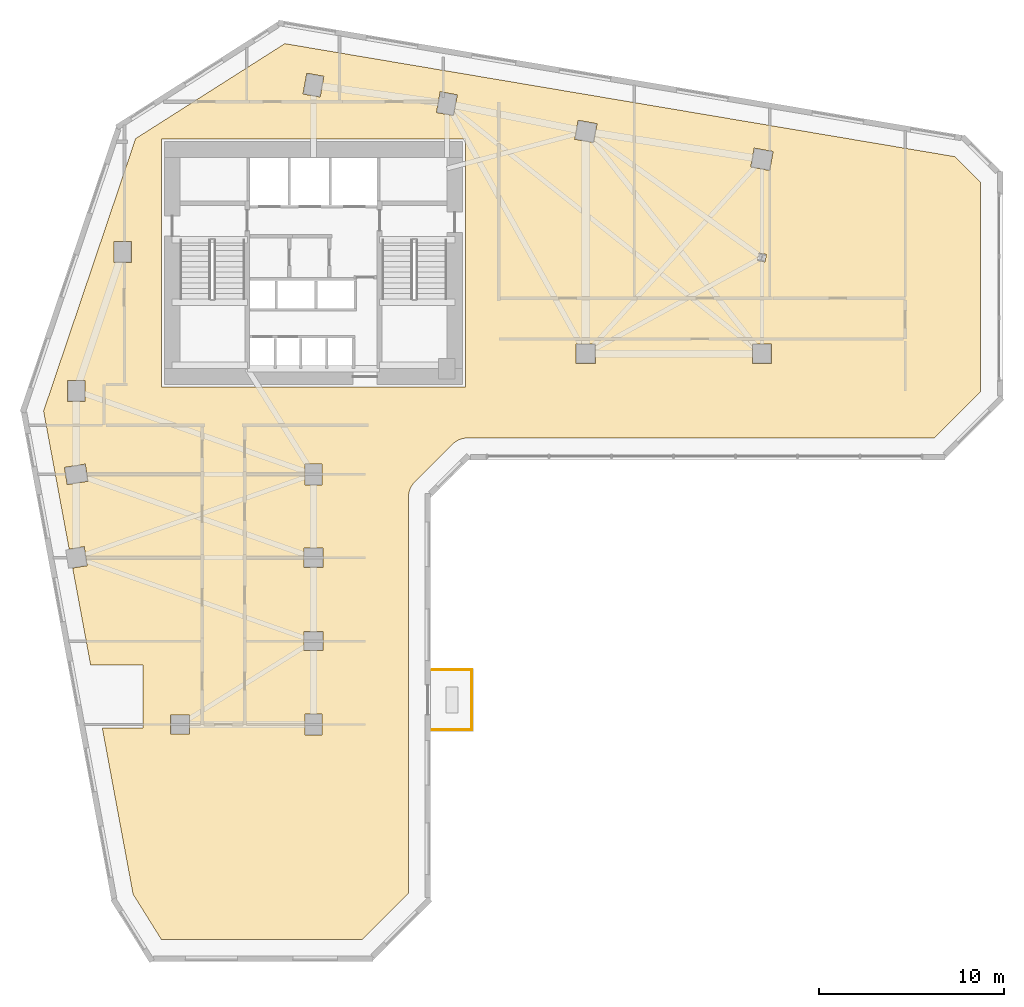
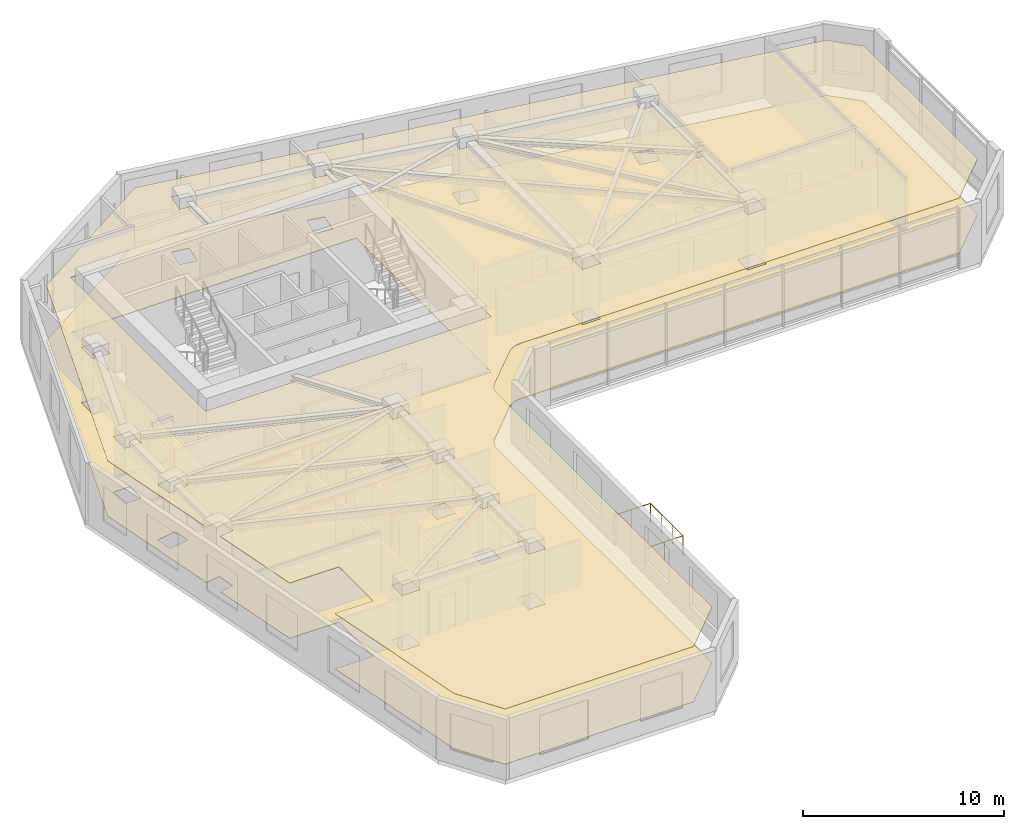
# One storey, part 10 of 11: 3 railings, 2 coverings.
"""IFC4 building model written with IfcOpenShell, lengths in metres."""

from ifc_helpers import new_model, si_unit, direction, frame, origin, origin_2d, place, context, subcontext, project, spatial, polyline, circle, outline, extrude, material, layer, layer_set, type_object, element, save


model = new_model("IFC4")

# Units and contexts
model_context = context("Model", 3, precision=1e-05, world=origin(), true_north=direction((0.0, 1.0)))
body_context = subcontext(model_context, "Body", "Model", "MODEL_VIEW")
ifc_project = project(units=[si_unit("LENGTHUNIT", "METRE"), si_unit("AREAUNIT", "SQUARE_METRE"), si_unit("VOLUMEUNIT", "CUBIC_METRE"), si_unit("PLANEANGLEUNIT", "RADIAN"), si_unit("MASSUNIT", "GRAM", prefix="KILO")], contexts=[model_context])

# Site, building, storey
site_placement = place(None, origin())
site = spatial("IfcSite", under=ifc_project, at=site_placement, CompositionType="ELEMENT")
building_placement = place(site_placement, origin())
building = spatial("IfcBuilding", under=site, at=building_placement, Name="Calvemar Wedge Station Tower", CompositionType="ELEMENT")
storey_placement = place(building_placement, frame((0.0, 0.0, 59.0)))
storey = spatial("IfcBuildingStorey", under=building, at=storey_placement, Name="L14", CompositionType="ELEMENT", Elevation=59.0)

# Coverings
ifc_material_1 = material(Name="Moisture-resistant gypsum ceiling")
ifc_layer_1 = layer(ifc_material_1, 0.0400390625)
ifc_layer_set_1 = layer_set([ifc_layer_1], Name="Moisture-resistant gypsum ceiling")
covering_type_1 = type_object("IfcCoveringType", Name="COV-CEIL-GYPSUM", PredefinedType="CEILING", material=ifc_layer_set_1)
covering_1_placement = place(storey_placement, frame((0.0, 0.0, 3.35009765625)))
element("IfcCovering", 1, at=covering_1_placement, inside=storey, type_object=covering_type_1, Name="Storey L14 Acoustic Suspended Ceiling", PredefinedType="CEILING", context=body_context, shape_type="SweptSolid", body=[
    extrude(outline(polyline([(29.279541015625, 28.1083984375), (31.279541015625, 30.1083984375), (31.36669921875, 30.1875), (31.461181640625, 30.2578125), (31.562255859375, 30.318359375), (31.668701171875, 30.36865234375), (31.77978515625, 30.408203125), (31.893798828125, 30.43701171875), (32.010498046875, 30.4541015625), (32.1279296875, 30.4599609375), (57.302978515625, 30.4599609375), (59.800048828125, 32.95703125), (59.800048828125, 44.262939453125), (58.422607421875, 45.640380859375), (22.255126953125, 51.739990234375), (14.201416015625, 46.614990234375), (9.23681640625, 31.911865234375), (10.6162109375, 24.465087890625), (11.43115234375, 24.595703125), (11.595703125, 23.56884765625), (10.805908203125, 23.4423828125), (11.777099609375, 18.199951171875), (14.60009765625, 18.199951171875), (14.60009765625, 14.800048828125), (12.406982421875, 14.800048828125), (14.06640625, 5.8427734375), (15.593017578125, 3.39990234375), (26.430908203125, 3.39990234375), (28.927978515625, 5.897216796875), (28.927978515625, 27.260009765625), (28.933837890625, 27.377685546875), (28.951171875, 27.494140625), (28.979736328125, 27.6083984375), (29.019287109375, 27.71923828125), (29.069580078125, 27.82568359375), (29.130126953125, 27.9267578125), (29.200439453125, 28.021240234375), (29.279541015625, 28.1083984375)]), holes=[polyline([(15.60009765625, 46.60009765625), (32.0, 46.60009765625), (32.0, 33.199951171875), (15.60009765625, 33.199951171875), (15.60009765625, 46.60009765625)]), polyline([(10.530029296875, 32.429931640625), (10.530029296875, 33.570068359375), (11.469970703125, 33.570068359375), (11.469970703125, 32.429931640625), (10.530029296875, 32.429931640625)]), polyline([(13.030029296875, 41.070068359375), (13.969970703125, 41.070068359375), (13.969970703125, 39.929931640625), (13.030029296875, 39.929931640625), (13.030029296875, 41.070068359375)]), polyline([(24.363525390625, 49.977783203125), (24.16162109375, 48.855712890625), (23.236572265625, 49.022216796875), (23.4384765625, 50.144287109375), (24.363525390625, 49.977783203125)]), polyline([(31.361572265625, 47.855712890625), (30.4365234375, 48.022216796875), (30.638427734375, 49.144287109375), (31.5634765625, 48.977783203125), (31.361572265625, 47.855712890625)]), polyline([(37.89599609375, 46.580322265625), (38.080322265625, 47.60400390625), (39.10400390625, 47.419677734375), (38.919677734375, 46.39599609375), (37.89599609375, 46.580322265625)]), polyline([(47.580322265625, 46.10400390625), (48.60400390625, 45.919677734375), (48.419677734375, 44.89599609375), (47.39599609375, 45.080322265625), (47.580322265625, 46.10400390625)]), polyline([(39.02001953125, 35.52001953125), (39.02001953125, 34.47998046875), (37.97998046875, 34.47998046875), (37.97998046875, 35.52001953125), (39.02001953125, 35.52001953125)]), polyline([(48.52001953125, 34.47998046875), (47.47998046875, 34.47998046875), (47.47998046875, 35.52001953125), (48.52001953125, 35.52001953125), (48.52001953125, 34.47998046875)]), polyline([(47.759765625, 40.033935546875), (47.832763671875, 40.439453125), (48.240234375, 40.3662109375), (48.167236328125, 39.960693359375), (47.759765625, 40.033935546875)]), polyline([(11.488525390625, 29.05419921875), (11.63720703125, 28.126220703125), (10.511474609375, 27.94580078125), (10.36279296875, 28.873779296875), (11.488525390625, 29.05419921875)]), polyline([(24.27001953125, 27.929931640625), (23.330078125, 27.929931640625), (23.330078125, 29.070068359375), (24.27001953125, 29.070068359375), (24.27001953125, 27.929931640625)]), polyline([(23.280029296875, 23.47998046875), (23.280029296875, 24.52001953125), (24.320068359375, 24.52001953125), (24.320068359375, 23.47998046875), (23.280029296875, 23.47998046875)]), polyline([(23.280029296875, 20.02001953125), (24.320068359375, 20.02001953125), (24.320068359375, 18.97998046875), (23.280029296875, 18.97998046875), (23.280029296875, 20.02001953125)]), polyline([(24.27001953125, 15.570068359375), (24.27001953125, 14.429931640625), (23.330078125, 14.429931640625), (23.330078125, 15.570068359375), (24.27001953125, 15.570068359375)]), polyline([(17.1201171875, 14.47998046875), (16.080078125, 14.47998046875), (16.080078125, 15.52001953125), (17.1201171875, 15.52001953125), (17.1201171875, 14.47998046875)])]), origin(), (0.0, 0.0, 1.0), 0.039794921875),
])
ifc_material_2 = material(Name="Commercial raised access floor")
ifc_layer_2 = layer(ifc_material_2, 0.030029296875)
ifc_layer_set_2 = layer_set([ifc_layer_2], Name="Commercial raised access floor")
covering_type_2 = type_object("IfcCoveringType", Name="COV-FLR-RAISED", PredefinedType="FLOORING", material=ifc_layer_set_2)
covering_2_placement = place(storey_placement, origin())
element("IfcCovering", 2, at=covering_2_placement, inside=storey, type_object=covering_type_2, Name="Storey L14 Architectural Floor Finish", PredefinedType="FLOORING", context=body_context, shape_type="SweptSolid", body=[
    extrude(outline(polyline([(29.279541015625, 28.1083984375), (31.279541015625, 30.1083984375), (31.36669921875, 30.1875), (31.461181640625, 30.2578125), (31.562255859375, 30.318359375), (31.668701171875, 30.36865234375), (31.77978515625, 30.408203125), (31.893798828125, 30.43701171875), (32.010498046875, 30.4541015625), (32.1279296875, 30.4599609375), (57.302978515625, 30.4599609375), (59.800048828125, 32.95703125), (59.800048828125, 44.262939453125), (58.422607421875, 45.640380859375), (22.255126953125, 51.739990234375), (14.201416015625, 46.614990234375), (9.23681640625, 31.911865234375), (10.6162109375, 24.465087890625), (11.43115234375, 24.595703125), (11.595703125, 23.56884765625), (10.805908203125, 23.4423828125), (11.777099609375, 18.199951171875), (14.60009765625, 18.199951171875), (14.60009765625, 14.800048828125), (12.406982421875, 14.800048828125), (14.06640625, 5.8427734375), (15.593017578125, 3.39990234375), (26.430908203125, 3.39990234375), (28.927978515625, 5.897216796875), (28.927978515625, 27.260009765625), (28.933837890625, 27.377685546875), (28.951171875, 27.494140625), (28.979736328125, 27.6083984375), (29.019287109375, 27.71923828125), (29.069580078125, 27.82568359375), (29.130126953125, 27.9267578125), (29.200439453125, 28.021240234375), (29.279541015625, 28.1083984375)]), holes=[polyline([(15.60009765625, 46.60009765625), (32.0, 46.60009765625), (32.0, 33.199951171875), (15.60009765625, 33.199951171875), (15.60009765625, 46.60009765625)]), polyline([(10.530029296875, 32.429931640625), (10.530029296875, 33.570068359375), (11.469970703125, 33.570068359375), (11.469970703125, 32.429931640625), (10.530029296875, 32.429931640625)]), polyline([(13.030029296875, 41.070068359375), (13.969970703125, 41.070068359375), (13.969970703125, 39.929931640625), (13.030029296875, 39.929931640625), (13.030029296875, 41.070068359375)]), polyline([(24.363525390625, 49.977783203125), (24.16162109375, 48.855712890625), (23.236572265625, 49.022216796875), (23.4384765625, 50.144287109375), (24.363525390625, 49.977783203125)]), polyline([(31.361572265625, 47.855712890625), (30.4365234375, 48.022216796875), (30.638427734375, 49.144287109375), (31.5634765625, 48.977783203125), (31.361572265625, 47.855712890625)]), polyline([(37.89599609375, 46.580322265625), (38.080322265625, 47.60400390625), (39.10400390625, 47.419677734375), (38.919677734375, 46.39599609375), (37.89599609375, 46.580322265625)]), polyline([(47.580322265625, 46.10400390625), (48.60400390625, 45.919677734375), (48.419677734375, 44.89599609375), (47.39599609375, 45.080322265625), (47.580322265625, 46.10400390625)]), polyline([(39.02001953125, 35.52001953125), (39.02001953125, 34.47998046875), (37.97998046875, 34.47998046875), (37.97998046875, 35.52001953125), (39.02001953125, 35.52001953125)]), polyline([(48.52001953125, 34.47998046875), (47.47998046875, 34.47998046875), (47.47998046875, 35.52001953125), (48.52001953125, 35.52001953125), (48.52001953125, 34.47998046875)]), polyline([(47.759765625, 40.033935546875), (47.832763671875, 40.439453125), (48.240234375, 40.3662109375), (48.167236328125, 39.960693359375), (47.759765625, 40.033935546875)]), polyline([(11.488525390625, 29.05419921875), (11.63720703125, 28.126220703125), (10.511474609375, 27.94580078125), (10.36279296875, 28.873779296875), (11.488525390625, 29.05419921875)]), polyline([(24.27001953125, 27.929931640625), (23.330078125, 27.929931640625), (23.330078125, 29.070068359375), (24.27001953125, 29.070068359375), (24.27001953125, 27.929931640625)]), polyline([(23.280029296875, 23.47998046875), (23.280029296875, 24.52001953125), (24.320068359375, 24.52001953125), (24.320068359375, 23.47998046875), (23.280029296875, 23.47998046875)]), polyline([(23.280029296875, 20.02001953125), (24.320068359375, 20.02001953125), (24.320068359375, 18.97998046875), (23.280029296875, 18.97998046875), (23.280029296875, 20.02001953125)]), polyline([(24.27001953125, 15.570068359375), (24.27001953125, 14.429931640625), (23.330078125, 14.429931640625), (23.330078125, 15.570068359375), (24.27001953125, 15.570068359375)]), polyline([(17.1201171875, 14.47998046875), (16.080078125, 14.47998046875), (16.080078125, 15.52001953125), (17.1201171875, 15.52001953125), (17.1201171875, 14.47998046875)])]), origin(), (0.0, 0.0, 1.0), 0.030029296875),
])

# Railings
ifc_material_3 = material(Name="Stainless steel AISI 316L", Category="steel")
railing_type = type_object("IfcRailingType", Name="GRD-TERR-1200", PredefinedType="GUARDRAIL", material=ifc_material_3)
railing_1_placement = place(storey_placement, frame((30.2080078125, 17.949951171875, 0.0)))
element("IfcRailing", 3, at=railing_1_placement, inside=storey, type_object=railing_type, Name="Storey L14 Spiral Terrace Guard 2", PredefinedType="GUARDRAIL", context=body_context, shape_type="SweptSolid", body=[
    extrude(circle(Radius=0.02392578125, at=origin_2d()), frame((0.0, 0.0, 1.17578125), z_axis=(1.0, 0.0, 0.0), x_axis=(0.0, 1.0, 0.0)), (0.0, 0.0, 1.0), 2.139892578125),
    extrude(circle(Radius=0.02099609375, at=origin_2d()), origin(), (0.0, 0.0, 1.0), 1.15185546875),
    extrude(circle(Radius=0.02099609375, at=origin_2d()), frame((1.06982421875, 0.0, 0.0)), (0.0, 0.0, 1.0), 1.15185546875),
    extrude(circle(Radius=0.02099609375, at=origin_2d()), frame((2.139892578125, 0.0, 0.0)), (0.0, 0.0, 1.0), 1.15185546875),
])
railing_2_placement = place(storey_placement, frame((32.347900390625, 17.949951171875, 0.0)))
element("IfcRailing", 4, at=railing_2_placement, inside=storey, type_object=railing_type, Name="Storey L14 Spiral Terrace Guard 3", PredefinedType="GUARDRAIL", context=body_context, shape_type="SweptSolid", body=[
    extrude(circle(Radius=0.02392578125, at=origin_2d()), frame((0.0, 0.0, 1.17578125), z_axis=(0.0, -1.0, 0.0), x_axis=(1.0, 0.0, 0.0)), (0.0, 0.0, 1.0), 3.239990234375),
    extrude(circle(Radius=0.02099609375, at=origin_2d()), origin(), (0.0, 0.0, 1.0), 1.15185546875),
    extrude(circle(Radius=0.02099609375, at=origin_2d()), frame((0.0, -1.080078125, 0.0)), (0.0, 0.0, 1.0), 1.15185546875),
    extrude(circle(Radius=0.02099609375, at=origin_2d()), frame((0.0, -2.159912109375, 0.0)), (0.0, 0.0, 1.0), 1.15185546875),
    extrude(circle(Radius=0.02099609375, at=origin_2d()), frame((0.0, -3.239990234375, 0.0)), (0.0, 0.0, 1.0), 1.15185546875),
])
railing_3_placement = place(storey_placement, frame((32.347900390625, 14.7099609375, 0.0)))
element("IfcRailing", 5, at=railing_3_placement, inside=storey, type_object=railing_type, Name="Storey L14 Spiral Terrace Guard 4", PredefinedType="GUARDRAIL", context=body_context, shape_type="SweptSolid", body=[
    extrude(circle(Radius=0.02392578125, at=origin_2d()), frame((0.0, 0.0, 1.17578125), z_axis=(-1.0, 0.0, 0.0), x_axis=(0.0, -1.0, 0.0)), (0.0, 0.0, 1.0), 2.139892578125),
    extrude(circle(Radius=0.02099609375, at=origin_2d()), origin(), (0.0, 0.0, 1.0), 1.15185546875),
    extrude(circle(Radius=0.02099609375, at=origin_2d()), frame((-1.06982421875, 0.0, 0.0)), (0.0, 0.0, 1.0), 1.15185546875),
    extrude(circle(Radius=0.02099609375, at=origin_2d()), frame((-2.139892578125, 0.0, 0.0)), (0.0, 0.0, 1.0), 1.15185546875),
])

save(model, "model.ifc")
